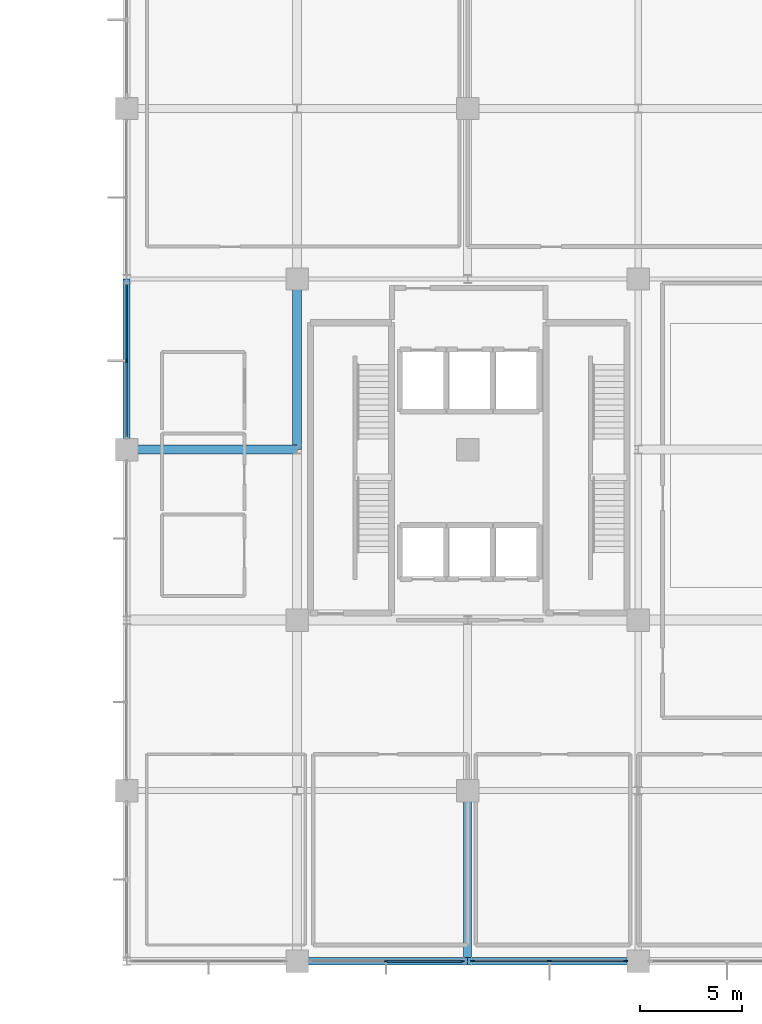
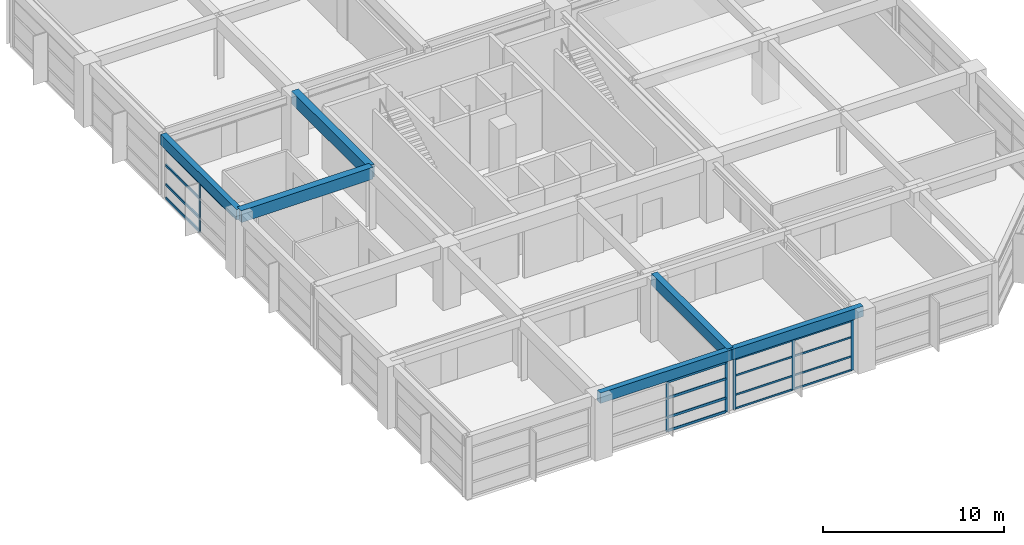
# One storey, part 6 of 19: 23 members, 6 beams, 3 elements without a shape of their own.
"""IFC4 building model written with IfcOpenShell, lengths in metres."""

import ifcopenshell
import ifcopenshell.guid

model = None  # the IFC model being written
_history = None  # IfcOwnerHistory: only IFC2X3 demands one
_inside = {}  # id of a spatial element -> (the spatial element, [elements in it])
_under = {}  # id of a project, library or spatial element -> (it, [spatial elements below it])
_declared = {}  # id of a project -> (the project, [libraries it declares])
_typed = {}  # id of a type object -> (the type object, [elements of that type])
_made_of = {}  # id of a material, layer set ... -> (it, [elements and type objects made of it])


def new_model(schema):
    """Start an empty IFC model of exactly this schema.

    Asked for "IFC4X3", IfcOpenShell would pick the latest addendum, in which some entities
    have other attributes; the version numbers below select the first issue.
    IFC2X3 requires an IfcOwnerHistory on every rooted entity: one is made here for all.
    """
    global model, _history
    if schema == "IFC4X3":
        model = ifcopenshell.file(schema_version=(4, 3, 0, 0))
    else:
        model = ifcopenshell.file(schema=schema)
    _inside.clear()
    _under.clear()
    _declared.clear()
    _typed.clear()
    _made_of.clear()
    _history = None
    if model.schema == "IFC2X3":
        org = make("IfcOrganization", Name="unknown")
        user = make(
            "IfcPersonAndOrganization",
            ThePerson=make("IfcPerson", FamilyName="unknown"),
            TheOrganization=org,
        )
        app = make(
            "IfcApplication",
            ApplicationDeveloper=org,
            Version="unknown",
            ApplicationFullName="unknown",
            ApplicationIdentifier="unknown",
        )
        _history = make(
            "IfcOwnerHistory",
            OwningUser=user,
            OwningApplication=app,
            ChangeAction="ADDED",
            CreationDate=0,
        )
    return model


def make(cls, **values):
    """One entity of the class cls with the attributes given. An attribute that is None is left unset."""
    return model.create_entity(
        cls, **{name: value for name, value in values.items() if value is not None}
    )


def rooted(cls, **values):
    """An entity with a GlobalId (a new one), such as an element, a storey or a relation."""
    return make(cls, GlobalId=ifcopenshell.guid.new(), OwnerHistory=_history, **values)


def si_unit(unit_type, name, prefix=None):
    """IfcSIUnit, for example si_unit("LENGTHUNIT", "METRE", prefix="MILLI")."""
    return make("IfcSIUnit", UnitType=unit_type, Prefix=prefix, Name=name)


def assignment(units):
    """IfcUnitAssignment: the units of a project."""
    return None if units is None else make("IfcUnitAssignment", Units=units)


def point(xyz):
    """IfcCartesianPoint."""
    return None if xyz is None else make("IfcCartesianPoint", Coordinates=xyz)


def direction(xyz):
    """IfcDirection."""
    return None if xyz is None else make("IfcDirection", DirectionRatios=xyz)


def frame(location, z_axis=None, x_axis=None):
    """IfcAxis2Placement3D, a coordinate frame: its origin and axes. An axis left out is left unset."""
    return make(
        "IfcAxis2Placement3D",
        Location=point(location),
        Axis=direction(z_axis),
        RefDirection=direction(x_axis),
    )


def frame_2d(location, x_axis=None):
    """IfcAxis2Placement2D, a coordinate frame in the plane: its origin and x axis."""
    return make(
        "IfcAxis2Placement2D", Location=point(location), RefDirection=direction(x_axis)
    )


def origin():
    """The frame at (0, 0, 0) with its axes left unset."""
    return frame((0.0, 0.0, 0.0))


def origin_2d():
    """The frame at (0, 0) in the plane with its x axis left unset."""
    return frame_2d((0.0, 0.0))


def place(relative_to, where):
    """IfcLocalPlacement: puts the frame where relative to a parent placement (None: the world)."""
    return make(
        "IfcLocalPlacement", PlacementRelTo=relative_to, RelativePlacement=where
    )


def context(
    kind, dimensions, precision=None, world=None, true_north=None, identifier=None
):
    """IfcGeometricRepresentationContext, for example the 3D "Model" context."""
    return make(
        "IfcGeometricRepresentationContext",
        ContextIdentifier=identifier,
        ContextType=kind,
        CoordinateSpaceDimension=dimensions,
        Precision=precision,
        WorldCoordinateSystem=world,
        TrueNorth=true_north,
    )


def subcontext(parent, identifier, kind, view, scale=None):
    """IfcGeometricRepresentationSubContext, for example "Body" below "Model"."""
    return make(
        "IfcGeometricRepresentationSubContext",
        ContextIdentifier=identifier,
        ContextType=kind,
        ParentContext=parent,
        TargetScale=scale,
        TargetView=view,
    )


def project(units=None, contexts=None):
    """IfcProject with its units and contexts."""
    return rooted(
        "IfcProject",
        Name="project",
        RepresentationContexts=contexts,
        UnitsInContext=assignment(units),
    )


def spatial(cls, under=None, at=None, **own):
    """A site, building, storey or space (cls), placed at a placement, below another one or the project."""
    s = rooted(cls, ObjectPlacement=at, **own)
    if under is not None:
        _under.setdefault(under.id(), (under, []))[1].append(s)
    return s


def profile(cls, at=None, kind="AREA", **sizes):
    """A parametric profile (cls). Its sizes go by their IFC names, for example OverallWidth=200.0."""
    return make(cls, ProfileType=kind, Position=at, **sizes)


def rectangle(**sizes):
    """IfcRectangleProfileDef."""
    return profile("IfcRectangleProfileDef", **sizes)


def extrude(swept, where, along, depth):
    """IfcExtrudedAreaSolid: the profile swept, set in the frame where, extruded along a direction by depth."""
    return make(
        "IfcExtrudedAreaSolid",
        SweptArea=swept,
        Position=where,
        ExtrudedDirection=direction(along),
        Depth=depth,
    )


def shape(context_of_items, identifier, shape_type, items):
    """IfcShapeRepresentation: the items that make up one representation, for example the "Body"."""
    return make(
        "IfcShapeRepresentation",
        ContextOfItems=context_of_items,
        RepresentationIdentifier=identifier,
        RepresentationType=shape_type,
        Items=items,
    )


def material(Name=None, Category=None):
    """IfcMaterial."""
    return make("IfcMaterial", Name=Name, Category=Category)


def material_profile(
    of_material, cross_section, Name=None, Category=None, Priority=None
):
    """IfcMaterialProfile: a cross section and its material."""
    return make(
        "IfcMaterialProfile",
        Name=Name,
        Material=of_material,
        Profile=cross_section,
        Priority=Priority,
        Category=Category,
    )


def profile_set(profiles, Name=None, composite=None):
    """IfcMaterialProfileSet."""
    return make(
        "IfcMaterialProfileSet",
        Name=Name,
        MaterialProfiles=profiles,
        CompositeProfile=composite,
    )


def made_of(thing, what):
    """Note that an element or type object is made of a material, layer set ...; save() writes the relation."""
    if what is not None:
        _made_of.setdefault(what.id(), (what, []))[1].append(thing)
    return thing


def type_object(cls, material=None, **own):
    """A type object (cls), such as IfcWallType, which elements share."""
    return made_of(rooted(cls, **own), material)


def element(
    cls,
    number,
    at=None,
    inside=None,
    cuts=None,
    type_object=None,
    material=None,
    context=None,
    identifier="Body",
    shape_type=None,
    held_by="IfcProductDefinitionShape",
    body=None,
    shapes=None,
    **own,
):
    """One element of the class cls, such as IfcWall. Its Tag is "e" and its number.

    at: its placement. inside: the storey or other place that contains it. cuts: it is an
    opening in that element (IfcRelVoidsElement). A single representation is given by context,
    identifier, shape_type and body (its items); several are given by shapes. held_by: the class
    of the entity that holds the representations. save() writes the other relations.
    """
    e = rooted(cls, Tag="e%d" % number, ObjectPlacement=at, **own)
    if body is not None:
        shapes = [shape(context, identifier, shape_type, body)]
    if shapes is not None:
        e.Representation = make(held_by, Representations=shapes)
    if inside is not None:
        _inside.setdefault(inside.id(), (inside, []))[1].append(e)
    if cuts is not None:
        rooted(
            "IfcRelVoidsElement", RelatingBuildingElement=cuts, RelatedOpeningElement=e
        )
    if type_object is not None:
        _typed.setdefault(type_object.id(), (type_object, []))[1].append(e)
    return made_of(e, material)


def aggregate(whole, parts):
    """IfcRelAggregates: a whole, such as a stair, and the parts it consists of."""
    return rooted("IfcRelAggregates", RelatingObject=whole, RelatedObjects=parts)


def save(model, path):
    """Write the relations noted so far, then the file.

    IfcRelAggregates (storeys below a building ...), IfcRelContainedInSpatialStructure (elements
    in a storey), IfcRelDefinesByType, IfcRelAssociatesMaterial and IfcRelDeclares: one each for
    every whole, place, type object, material and project.
    """
    for whole, parts in _under.values():
        aggregate(whole, parts)
    for where, things in _inside.values():
        rooted(
            "IfcRelContainedInSpatialStructure",
            RelatedElements=things,
            RelatingStructure=where,
        )
    for kind, things in _typed.values():
        rooted("IfcRelDefinesByType", RelatedObjects=things, RelatingType=kind)
    for what, things in _made_of.values():
        rooted("IfcRelAssociatesMaterial", RelatedObjects=things, RelatingMaterial=what)
    for by, libraries in _declared.values():
        rooted("IfcRelDeclares", RelatingContext=by, RelatedDefinitions=libraries)
    model.write(path)


model = new_model("IFC4")

# Units and contexts
model_context = context("Model", 3, precision=1e-05, world=origin(), true_north=direction((0.0, 1.0)))
body_context = subcontext(model_context, "Body", "Model", "MODEL_VIEW")
ifc_project = project(units=[si_unit("LENGTHUNIT", "METRE"), si_unit("AREAUNIT", "SQUARE_METRE"), si_unit("VOLUMEUNIT", "CUBIC_METRE"), si_unit("PLANEANGLEUNIT", "RADIAN"), si_unit("MASSUNIT", "GRAM", prefix="KILO")], contexts=[model_context])

# Site, building, storey
site_placement = place(None, origin())
site = spatial("IfcSite", under=ifc_project, at=site_placement, CompositionType="ELEMENT")
building_placement = place(site_placement, origin())
building = spatial("IfcBuilding", under=site, at=building_placement, Name="Xuanlan Plaza Opera House", CompositionType="ELEMENT")
storey_placement = place(building_placement, frame((0.0, 0.0, 36.300048828125)))
storey = spatial("IfcBuildingStorey", under=building, at=storey_placement, Name="L08", CompositionType="ELEMENT", Elevation=36.300048828125)

# Curtain wall, members
ifc_material_1 = material(Name="Anodised Aluminium 6063-T6 and Low-E Glass", Category="aluminium")
curtain_wall_type_1 = type_object("IfcCurtainWallType", Name="ENV-CW-CW-04", PredefinedType="USERDEFINED", material=ifc_material_1)
curtain_wall_1_placement = place(storey_placement, origin())
curtain_wall_1 = element("IfcCurtainWall", 1, at=curtain_wall_1_placement, inside=storey, type_object=curtain_wall_type_1, Name="Unitised Curtain Wall L08-002", ObjectType="UNITISED CURTAIN WALL", PredefinedType="USERDEFINED")
ifc_material_2 = material(Name="Anodised Aluminium 6063-T6", Category="aluminium")
ifc_material_profile_1 = material_profile(ifc_material_2, rectangle(XDim=0.070068359375, YDim=0.179931640625, at=origin_2d()), Name="ALU-M 70x180")
ifc_profile_set_1 = profile_set([ifc_material_profile_1], Name="Anodised Aluminium 6063-T6")
member_type_1 = type_object("IfcMemberType", Name="ENV-CWM-02", PredefinedType="MULLION", material=ifc_profile_set_1)
member_1_placement = place(storey_placement, frame((138.77490234375, 33.60009765625, 0.0), z_axis=(0.0, 0.0, 1.0), x_axis=(0.0, 1.0, 0.0)))
member_1 = element("IfcMember", 2, at=member_1_placement, type_object=member_type_1, Name="CW-04 mullion 2", PredefinedType="MULLION", context=body_context, shape_type="SweptSolid", body=[
    extrude(rectangle(XDim=0.070068359375, YDim=0.179931640625, at=origin_2d()), origin(), (0.0, 0.0, 1.0), 3.3798828125),
])
member_2_placement = place(storey_placement, frame((142.544921875, 33.60009765625, 0.0), z_axis=(0.0, 0.0, 1.0), x_axis=(0.0, 1.0, 0.0)))
member_2 = element("IfcMember", 3, at=member_2_placement, type_object=member_type_1, Name="CW-04 mullion 3", PredefinedType="MULLION", context=body_context, shape_type="SweptSolid", body=[
    extrude(rectangle(XDim=0.070068359375, YDim=0.179931640625, at=origin_2d()), origin(), (0.0, 0.0, 1.0), 3.3798828125),
])

# Curtain wall, member
curtain_wall_type_2 = type_object("IfcCurtainWallType", Name="ENV-CW-CW-03", PredefinedType="USERDEFINED", material=ifc_material_1)
curtain_wall_2_placement = place(storey_placement, origin())
curtain_wall_2 = element("IfcCurtainWall", 4, at=curtain_wall_2_placement, inside=storey, type_object=curtain_wall_type_2, Name="Unitised Curtain Wall L08-017", ObjectType="UNITISED CURTAIN WALL", PredefinedType="USERDEFINED")
member_3_placement = place(storey_placement, frame((126.0, 63.175048828125, 0.0), z_axis=(0.0, 0.0, 1.0), x_axis=(1.0, 0.0, 0.0)))
member_3 = element("IfcMember", 5, at=member_3_placement, type_object=member_type_1, Name="CW-03 mullion 2", PredefinedType="MULLION", context=body_context, shape_type="SweptSolid", body=[
    extrude(rectangle(XDim=0.070068359375, YDim=0.179931640625, at=origin_2d()), origin(), (0.0, 0.0, 1.0), 3.3798828125),
])

# Curtain wall, members
curtain_wall_type_3 = type_object("IfcCurtainWallType", Name="ENV-CW-CW-01", PredefinedType="USERDEFINED", material=ifc_material_1)
curtain_wall_3_placement = place(storey_placement, origin())
curtain_wall_3 = element("IfcCurtainWall", 6, at=curtain_wall_3_placement, inside=storey, type_object=curtain_wall_type_3, Name="Unitised Curtain Wall L08-003", ObjectType="UNITISED CURTAIN WALL", PredefinedType="USERDEFINED")
ifc_material_profile_2 = material_profile(ifc_material_2, rectangle(XDim=0.074951171875, YDim=0.199951171875, at=origin_2d()), Name="ALU-M 75x200")
ifc_profile_set_2 = profile_set([ifc_material_profile_2], Name="Anodised Aluminium 6063-T6")
member_type_2 = type_object("IfcMemberType", Name="ENV-CWM-03", PredefinedType="MULLION", material=ifc_profile_set_2)
member_4_placement = place(storey_placement, frame((143.0576171875, 33.60009765625, 0.0), z_axis=(0.0, 0.0, 1.0), x_axis=(0.0, 1.0, 0.0)))
member_4 = element("IfcMember", 7, at=member_4_placement, type_object=member_type_2, Name="CW-01 mullion 1", PredefinedType="MULLION", context=body_context, shape_type="SweptSolid", body=[
    extrude(rectangle(XDim=0.074951171875, YDim=0.199951171875, at=origin_2d()), origin(), (0.0, 0.0, 1.0), 3.3798828125),
])
member_5_placement = place(storey_placement, frame((146.824951171875, 33.60009765625, 0.0), z_axis=(0.0, 0.0, 1.0), x_axis=(0.0, 1.0, 0.0)))
member_5 = element("IfcMember", 8, at=member_5_placement, type_object=member_type_2, Name="CW-01 mullion 2", PredefinedType="MULLION", context=body_context, shape_type="SweptSolid", body=[
    extrude(rectangle(XDim=0.074951171875, YDim=0.199951171875, at=origin_2d()), origin(), (0.0, 0.0, 1.0), 3.3798828125),
])
member_6_placement = place(storey_placement, frame((150.592529296875, 33.60009765625, 0.0), z_axis=(0.0, 0.0, 1.0), x_axis=(0.0, 1.0, 0.0)))
member_6 = element("IfcMember", 9, at=member_6_placement, type_object=member_type_2, Name="CW-01 mullion 3", PredefinedType="MULLION", context=body_context, shape_type="SweptSolid", body=[
    extrude(rectangle(XDim=0.074951171875, YDim=0.199951171875, at=origin_2d()), origin(), (0.0, 0.0, 1.0), 3.3798828125),
])
ifc_material_profile_3 = material_profile(ifc_material_2, rectangle(XDim=0.06494140625, YDim=0.1201171875, at=origin_2d()), Name="ALU-T 65x120")
ifc_profile_set_3 = profile_set([ifc_material_profile_3], Name="Anodised Aluminium 6063-T6")
member_type_3 = type_object("IfcMemberType", Name="ENV-CWT-01", PredefinedType="USERDEFINED", material=ifc_profile_set_3)
member_7_placement = place(storey_placement, frame((143.094970703125, 33.60009765625, 0.032470703125), z_axis=(1.0, 0.0, 0.0), x_axis=(0.0, 1.0, 0.0)))
member_7 = element("IfcMember", 10, at=member_7_placement, type_object=member_type_3, Name="CW-01 transom 1.1", ObjectType="TRANSOM", PredefinedType="USERDEFINED", context=body_context, shape_type="SweptSolid", body=[
    extrude(rectangle(XDim=0.06494140625, YDim=0.1201171875, at=origin_2d()), origin(), (0.0, 0.0, 1.0), 3.692626953125),
])
member_8_placement = place(storey_placement, frame((143.094970703125, 33.60009765625, 0.949951171875), z_axis=(1.0, 0.0, 0.0), x_axis=(0.0, 1.0, 0.0)))
member_8 = element("IfcMember", 11, at=member_8_placement, type_object=member_type_3, Name="CW-01 transom 1.2", ObjectType="TRANSOM", PredefinedType="USERDEFINED", context=body_context, shape_type="SweptSolid", body=[
    extrude(rectangle(XDim=0.06494140625, YDim=0.1201171875, at=origin_2d()), origin(), (0.0, 0.0, 1.0), 3.692626953125),
])
member_9_placement = place(storey_placement, frame((143.094970703125, 33.60009765625, 2.25), z_axis=(1.0, 0.0, 0.0), x_axis=(0.0, 1.0, 0.0)))
member_9 = element("IfcMember", 12, at=member_9_placement, type_object=member_type_3, Name="CW-01 transom 1.3", ObjectType="TRANSOM", PredefinedType="USERDEFINED", context=body_context, shape_type="SweptSolid", body=[
    extrude(rectangle(XDim=0.06494140625, YDim=0.1201171875, at=origin_2d()), origin(), (0.0, 0.0, 1.0), 3.692626953125),
])
member_10_placement = place(storey_placement, frame((143.094970703125, 33.60009765625, 3.347412109375), z_axis=(1.0, 0.0, 0.0), x_axis=(0.0, 1.0, 0.0)))
member_10 = element("IfcMember", 13, at=member_10_placement, type_object=member_type_3, Name="CW-01 transom 1.4", ObjectType="TRANSOM", PredefinedType="USERDEFINED", context=body_context, shape_type="SweptSolid", body=[
    extrude(rectangle(XDim=0.06494140625, YDim=0.1201171875, at=origin_2d()), origin(), (0.0, 0.0, 1.0), 3.692626953125),
])
member_11_placement = place(storey_placement, frame((146.862548828125, 33.60009765625, 0.032470703125), z_axis=(1.0, 0.0, 0.0), x_axis=(0.0, 1.0, 0.0)))
member_11 = element("IfcMember", 14, at=member_11_placement, type_object=member_type_3, Name="CW-01 transom 2.1", ObjectType="TRANSOM", PredefinedType="USERDEFINED", context=body_context, shape_type="SweptSolid", body=[
    extrude(rectangle(XDim=0.06494140625, YDim=0.1201171875, at=origin_2d()), origin(), (0.0, 0.0, 1.0), 3.6923828125),
])
member_12_placement = place(storey_placement, frame((146.862548828125, 33.60009765625, 0.949951171875), z_axis=(1.0, 0.0, 0.0), x_axis=(0.0, 1.0, 0.0)))
member_12 = element("IfcMember", 15, at=member_12_placement, type_object=member_type_3, Name="CW-01 transom 2.2", ObjectType="TRANSOM", PredefinedType="USERDEFINED", context=body_context, shape_type="SweptSolid", body=[
    extrude(rectangle(XDim=0.06494140625, YDim=0.1201171875, at=origin_2d()), origin(), (0.0, 0.0, 1.0), 3.6923828125),
])
member_13_placement = place(storey_placement, frame((146.862548828125, 33.60009765625, 2.25), z_axis=(1.0, 0.0, 0.0), x_axis=(0.0, 1.0, 0.0)))
member_13 = element("IfcMember", 16, at=member_13_placement, type_object=member_type_3, Name="CW-01 transom 2.3", ObjectType="TRANSOM", PredefinedType="USERDEFINED", context=body_context, shape_type="SweptSolid", body=[
    extrude(rectangle(XDim=0.06494140625, YDim=0.1201171875, at=origin_2d()), origin(), (0.0, 0.0, 1.0), 3.6923828125),
])
member_14_placement = place(storey_placement, frame((146.862548828125, 33.60009765625, 3.347412109375), z_axis=(1.0, 0.0, 0.0), x_axis=(0.0, 1.0, 0.0)))
member_14 = element("IfcMember", 17, at=member_14_placement, type_object=member_type_3, Name="CW-01 transom 2.4", ObjectType="TRANSOM", PredefinedType="USERDEFINED", context=body_context, shape_type="SweptSolid", body=[
    extrude(rectangle(XDim=0.06494140625, YDim=0.1201171875, at=origin_2d()), origin(), (0.0, 0.0, 1.0), 3.6923828125),
])
aggregate(curtain_wall_3, [member_4, member_5, member_6, member_7, member_8, member_9, member_10, member_11, member_12, member_13, member_14])

# Member
ifc_material_profile_4 = material_profile(ifc_material_2, rectangle(XDim=0.080078125, YDim=0.1650390625, at=origin_2d()), Name="ALU-T 80x165")
ifc_profile_set_4 = profile_set([ifc_material_profile_4], Name="Anodised Aluminium 6063-T6")
member_type_4 = type_object("IfcMemberType", Name="ENV-CWT-04", PredefinedType="USERDEFINED", material=ifc_profile_set_4)
member_15_placement = place(storey_placement, frame((138.81005859375, 33.60009765625, 0.0400390625), z_axis=(1.0, 0.0, 0.0), x_axis=(0.0, 1.0, 0.0)))
member_15 = element("IfcMember", 18, at=member_15_placement, type_object=member_type_4, Name="CW-04 transom 2.1", ObjectType="TRANSOM", PredefinedType="USERDEFINED", context=body_context, shape_type="SweptSolid", body=[
    extrude(rectangle(XDim=0.080078125, YDim=0.1650390625, at=origin_2d()), origin(), (0.0, 0.0, 1.0), 3.699951171875),
])

member_16_placement = place(storey_placement, frame((138.81005859375, 33.60009765625, 0.949951171875), z_axis=(1.0, 0.0, 0.0), x_axis=(0.0, 1.0, 0.0)))
member_16 = element("IfcMember", 19, at=member_16_placement, type_object=member_type_4, Name="CW-04 transom 2.2", ObjectType="TRANSOM", PredefinedType="USERDEFINED", context=body_context, shape_type="SweptSolid", body=[
    extrude(rectangle(XDim=0.080078125, YDim=0.1650390625, at=origin_2d()), origin(), (0.0, 0.0, 1.0), 3.699951171875),
])

member_17_placement = place(storey_placement, frame((138.81005859375, 33.60009765625, 2.25), z_axis=(1.0, 0.0, 0.0), x_axis=(0.0, 1.0, 0.0)))
member_17 = element("IfcMember", 20, at=member_17_placement, type_object=member_type_4, Name="CW-04 transom 2.3", ObjectType="TRANSOM", PredefinedType="USERDEFINED", context=body_context, shape_type="SweptSolid", body=[
    extrude(rectangle(XDim=0.080078125, YDim=0.1650390625, at=origin_2d()), origin(), (0.0, 0.0, 1.0), 3.699951171875),
])

member_18_placement = place(storey_placement, frame((138.81005859375, 33.60009765625, 3.33984375), z_axis=(1.0, 0.0, 0.0), x_axis=(0.0, 1.0, 0.0)))
member_18 = element("IfcMember", 21, at=member_18_placement, type_object=member_type_4, Name="CW-04 transom 2.4", ObjectType="TRANSOM", PredefinedType="USERDEFINED", context=body_context, shape_type="SweptSolid", body=[
    extrude(rectangle(XDim=0.080078125, YDim=0.1650390625, at=origin_2d()), origin(), (0.0, 0.0, 1.0), 3.699951171875),
])

aggregate(curtain_wall_1, [member_1, member_2, member_15, member_16, member_17, member_18])

member_19_placement = place(storey_placement, frame((126.0, 66.909912109375, 0.0400390625), z_axis=(0.0, -1.0, 0.0), x_axis=(1.0, 0.0, 0.0)))
member_19 = element("IfcMember", 22, at=member_19_placement, type_object=member_type_4, Name="CW-03 transom 1.1", ObjectType="TRANSOM", PredefinedType="USERDEFINED", context=body_context, shape_type="SweptSolid", body=[
    extrude(rectangle(XDim=0.080078125, YDim=0.1650390625, at=origin_2d()), origin(), (0.0, 0.0, 1.0), 3.699951171875),
])

member_20_placement = place(storey_placement, frame((126.0, 66.909912109375, 0.949951171875), z_axis=(0.0, -1.0, 0.0), x_axis=(1.0, 0.0, 0.0)))
member_20 = element("IfcMember", 23, at=member_20_placement, type_object=member_type_4, Name="CW-03 transom 1.2", ObjectType="TRANSOM", PredefinedType="USERDEFINED", context=body_context, shape_type="SweptSolid", body=[
    extrude(rectangle(XDim=0.080078125, YDim=0.1650390625, at=origin_2d()), origin(), (0.0, 0.0, 1.0), 3.699951171875),
])

member_21_placement = place(storey_placement, frame((126.0, 66.909912109375, 2.25), z_axis=(0.0, -1.0, 0.0), x_axis=(1.0, 0.0, 0.0)))
member_21 = element("IfcMember", 24, at=member_21_placement, type_object=member_type_4, Name="CW-03 transom 1.3", ObjectType="TRANSOM", PredefinedType="USERDEFINED", context=body_context, shape_type="SweptSolid", body=[
    extrude(rectangle(XDim=0.080078125, YDim=0.1650390625, at=origin_2d()), origin(), (0.0, 0.0, 1.0), 3.699951171875),
])

member_22_placement = place(storey_placement, frame((126.0, 66.909912109375, 3.33984375), z_axis=(0.0, -1.0, 0.0), x_axis=(1.0, 0.0, 0.0)))
member_22 = element("IfcMember", 25, at=member_22_placement, type_object=member_type_4, Name="CW-03 transom 1.4", ObjectType="TRANSOM", PredefinedType="USERDEFINED", context=body_context, shape_type="SweptSolid", body=[
    extrude(rectangle(XDim=0.080078125, YDim=0.1650390625, at=origin_2d()), origin(), (0.0, 0.0, 1.0), 3.699951171875),
])

member_23_placement = place(storey_placement, frame((126.0, 63.139892578125, 3.33984375), z_axis=(0.0, -1.0, 0.0), x_axis=(1.0, 0.0, 0.0)))
member_23 = element("IfcMember", 26, at=member_23_placement, type_object=member_type_4, Name="CW-03 transom 2.4", ObjectType="TRANSOM", PredefinedType="USERDEFINED", context=body_context, shape_type="SweptSolid", body=[
    extrude(rectangle(XDim=0.080078125, YDim=0.1650390625, at=origin_2d()), origin(), (0.0, 0.0, 1.0), 3.699951171875),
])

aggregate(curtain_wall_2, [member_3, member_19, member_20, member_21, member_22, member_23])

# Beams
ifc_material_3 = material(Name="Concrete C40", Category="concrete")
ifc_material_profile_5 = material_profile(ifc_material_3, rectangle(XDim=0.449951171875, YDim=0.85009765625, at=origin_2d()), Name="RC-BM 450x850")
ifc_profile_set_5 = profile_set([ifc_material_profile_5], Name="Concrete C40")
beam_type_1 = type_object("IfcBeamType", Name="STR-BM-B-04", PredefinedType="BEAM", material=ifc_profile_set_5)
beam_1_placement = place(storey_placement, frame((134.39990234375, 58.800048828125, 3.77490234375), z_axis=(0.0, 1.0, 0.0), x_axis=(-1.0, 0.0, 0.0)))
element("IfcBeam", 27, at=beam_1_placement, inside=storey, type_object=beam_type_1, Name="Grid Beam Y L08 17/H-I", PredefinedType="BEAM", context=body_context, shape_type="SweptSolid", body=[
    extrude(rectangle(XDim=0.449951171875, YDim=0.85009765625, at=origin_2d()), origin(), (0.0, 0.0, 1.0), 8.39990234375),
])
ifc_material_profile_6 = material_profile(ifc_material_3, rectangle(XDim=0.449951171875, YDim=0.800048828125, at=origin_2d()), Name="RC-BM 450x800")
ifc_profile_set_6 = profile_set([ifc_material_profile_6], Name="Concrete C40")
beam_type_2 = type_object("IfcBeamType", Name="STR-BM-B-05", PredefinedType="BEAM", material=ifc_profile_set_6)
beam_2_placement = place(storey_placement, frame((126.0, 58.800048828125, 3.800048828125), z_axis=(1.0, 0.0, 0.0), x_axis=(0.0, 1.0, 0.0)))
element("IfcBeam", 28, at=beam_2_placement, inside=storey, type_object=beam_type_2, Name="Grid Beam X L08 16-17/H", PredefinedType="BEAM", context=body_context, shape_type="SweptSolid", body=[
    extrude(rectangle(XDim=0.449951171875, YDim=0.800048828125, at=origin_2d()), origin(), (0.0, 0.0, 1.0), 8.39990234375),
])
ifc_material_profile_7 = material_profile(ifc_material_3, rectangle(XDim=0.39990234375, YDim=0.75, at=origin_2d()), Name="RC-BM 400x750")
ifc_profile_set_7 = profile_set([ifc_material_profile_7], Name="Concrete C40")
beam_type_3 = type_object("IfcBeamType", Name="STR-BM-B-06", PredefinedType="BEAM", material=ifc_profile_set_7)
beam_3_placement = place(storey_placement, frame((142.800048828125, 33.60009765625, 3.824951171875), z_axis=(0.0, 1.0, 0.0), x_axis=(-1.0, 0.0, 0.0)))
element("IfcBeam", 29, at=beam_3_placement, inside=storey, type_object=beam_type_3, Name="Grid Beam Y L08 18/E-F", PredefinedType="BEAM", context=body_context, shape_type="SweptSolid", body=[
    extrude(rectangle(XDim=0.39990234375, YDim=0.75, at=origin_2d()), origin(), (0.0, 0.0, 1.0), 8.39990234375),
])
ifc_material_profile_8 = material_profile(ifc_material_3, rectangle(XDim=0.35009765625, YDim=0.699951171875, at=origin_2d()), Name="RC-SPD 350x700")
ifc_profile_set_8 = profile_set([ifc_material_profile_8], Name="Concrete C40")
beam_type_4 = type_object("IfcBeamType", Name="STR-BM-SP-02", PredefinedType="SPANDREL", material=ifc_profile_set_8)
beam_4_placement = place(storey_placement, frame((134.39990234375, 33.60009765625, 3.849853515625), z_axis=(1.0, 0.0, 0.0), x_axis=(0.0, 1.0, 0.0)))
element("IfcBeam", 30, at=beam_4_placement, inside=storey, type_object=beam_type_4, Name="Grid Beam X L08 17-18/E", PredefinedType="SPANDREL", context=body_context, shape_type="SweptSolid", body=[
    extrude(rectangle(XDim=0.35009765625, YDim=0.699951171875, at=origin_2d()), origin(), (0.0, 0.0, 1.0), 8.400146484375),
])
for number, where, z_axis, x_axis, name in (
    (31, (142.800048828125, 33.60009765625, 3.849853515625), (1.0, 0.0, 0.0), (0.0, 1.0, 0.0), "Grid Beam X L08 18-19/E"),
    (32, (126.0, 58.800048828125, 3.849853515625), (0.0, 1.0, 0.0), (-1.0, 0.0, 0.0), "Grid Beam Y L08 16/H-I"),
):
    element("IfcBeam", number, at=place(storey_placement, frame(where, z_axis=z_axis, x_axis=x_axis)), inside=storey, type_object=beam_type_4, Name=name, PredefinedType="SPANDREL", context=body_context, shape_type="SweptSolid", body=[
        extrude(rectangle(XDim=0.35009765625, YDim=0.699951171875, at=origin_2d()), origin(), (0.0, 0.0, 1.0), 8.39990234375),
    ])

save(model, "model.ifc")
